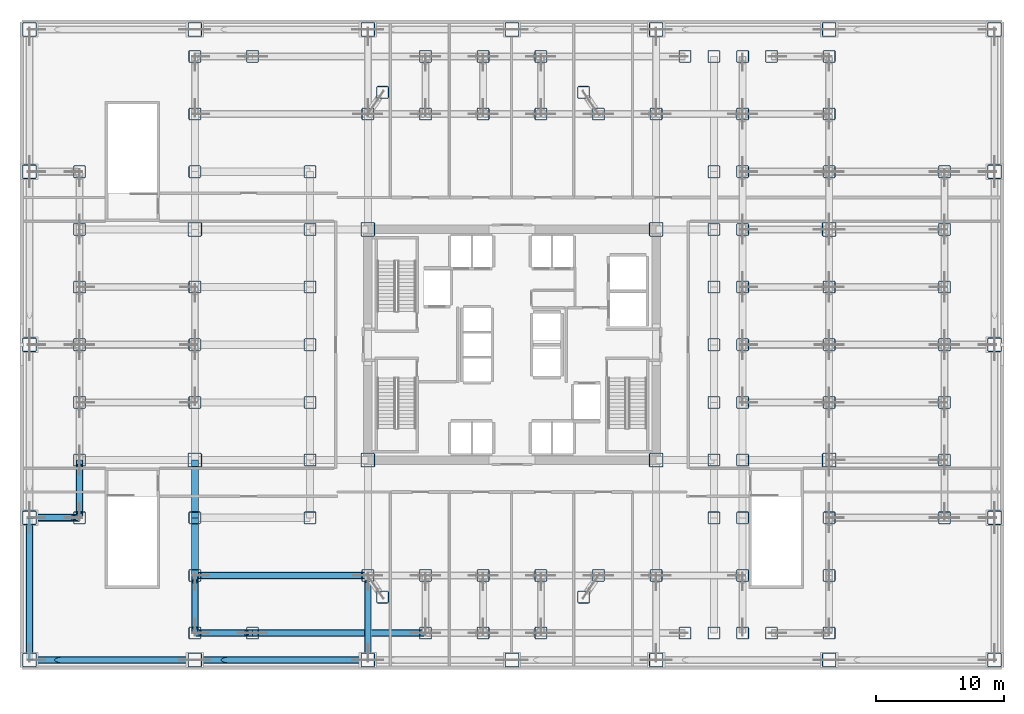
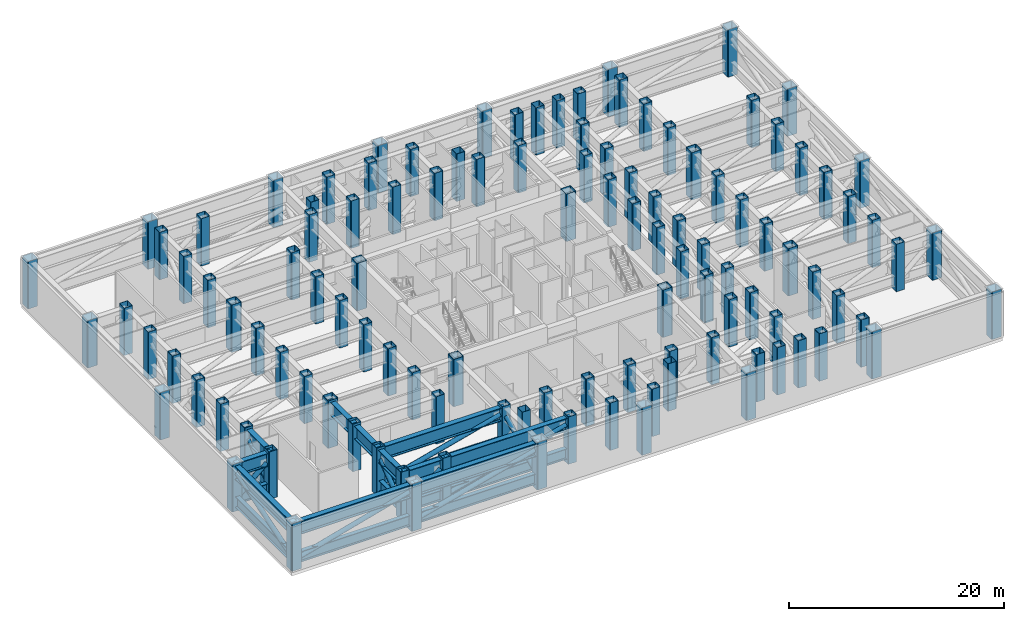
# One storey, part 1 of 17: 115 columns, 20 beams, 10 members.
"""IFC4 building model written with IfcOpenShell, lengths in metres."""

from ifc_helpers import new_model, si_unit, direction, frame, origin, origin_2d, place, context, subcontext, project, spatial, hollow_rectangle, hollow_circle, i_section, extrude, source, transform, mapped, material, material_profile, profile_set, type_object, element, save


model = new_model("IFC4")

# Units and contexts
model_context = context("Model", 3, precision=1e-05, world=origin(), true_north=direction((0.0, 1.0)))
body_context = subcontext(model_context, "Body", "Model", "MODEL_VIEW")
ifc_project = project(units=[si_unit("LENGTHUNIT", "METRE"), si_unit("AREAUNIT", "SQUARE_METRE"), si_unit("VOLUMEUNIT", "CUBIC_METRE"), si_unit("PLANEANGLEUNIT", "RADIAN"), si_unit("MASSUNIT", "GRAM", prefix="KILO")], contexts=[model_context])

# Site, building, storey
site_placement = place(None, origin())
site = spatial("IfcSite", under=ifc_project, at=site_placement, CompositionType="ELEMENT")
building_placement = place(site_placement, origin())
building = spatial("IfcBuilding", under=site, at=building_placement, Name="Nefas-Gora Pilgrimage Tower", CompositionType="ELEMENT")
storey_placement = place(building_placement, frame((0.0, 0.0, 27.60009765625)))
storey = spatial("IfcBuildingStorey", under=building, at=storey_placement, Name="L05", CompositionType="ELEMENT", Elevation=27.60009765625)

# Columns
ifc_material = material(Name="Steel S460", Category="steel")
ifc_material_profile_1 = material_profile(ifc_material, hollow_rectangle(XDim=1.10009765625, YDim=1.10009765625, WallThickness=0.054931640625, InnerFilletRadius=0.054931640625, OuterFilletRadius=0.110107421875, at=origin_2d()), Name="BOX 1100x1100x55")
ifc_profile_set_1 = profile_set([ifc_material_profile_1], Name="Steel S460")
column_type_1 = type_object("IfcColumnType", Name="COL-MEGA-1100E", PredefinedType="COLUMN", material=ifc_profile_set_1)
shared_shape_1 = source(origin(), body_context, "Body", "SweptSolid", [
    extrude(hollow_rectangle(XDim=1.10009765625, YDim=1.10009765625, WallThickness=0.054931640625, InnerFilletRadius=0.054931640625, OuterFilletRadius=0.110107421875, at=origin_2d()), origin(), (0.0, 0.0, 1.0), 5.39990234375),
])
for number, where, z_axis, x_axis, name in (
    (1, (-37.64990234375, -24.60009765625, 0.0), (0.0, 0.0, 1.0), (1.0, 0.0, 0.0), "L05 Transfer Mega-Column MC-02E.1"),
    (2, (-37.64990234375, -13.5, 0.0), (0.0, 0.0, 1.0), (1.0, 0.0, 0.0), "L05 Transfer Mega-Column MC-02E.2"),
    (3, (-37.64990234375, 0.0, 0.0), (0.0, 0.0, 1.0), (1.0, 0.0, 0.0), "L05 Transfer Mega-Column MC-02E.3"),
    (4, (-37.64990234375, 13.5, 0.0), (0.0, 0.0, 1.0), (1.0, 0.0, 0.0), "L05 Transfer Mega-Column MC-02E.4"),
    (5, (-37.64990234375, 24.60009765625, 0.0), (0.0, 0.0, 1.0), (1.0, 0.0, 0.0), "L05 Transfer Mega-Column MC-02E.5"),
    (6, (-24.75, -24.60009765625, 0.0), (0.0, 0.0, 1.0), (1.0, 0.0, 0.0), "L05 Transfer Mega-Column MC-02E.6"),
    (7, (-24.75, 24.60009765625, 0.0), (0.0, 0.0, 1.0), (1.0, 0.0, 0.0), "L05 Transfer Mega-Column MC-02E.9"),
    (8, (-11.25, -24.60009765625, 0.0), (0.0, 0.0, 1.0), (1.0, 0.0, 0.0), "L05 Transfer Mega-Column MC-02E.10"),
    (9, (-11.25, 24.60009765625, 0.0), (0.0, 0.0, 1.0), (1.0, 0.0, 0.0), "L05 Transfer Mega-Column MC-02E.13"),
    (10, (0.0, -24.60009765625, 0.0), (0.0, 0.0, 1.0), (1.0, 0.0, 0.0), "L05 Transfer Mega-Column MC-02E.14"),
    (11, (0.0, 24.60009765625, 0.0), (0.0, 0.0, 1.0), (1.0, 0.0, 0.0), "L05 Transfer Mega-Column MC-02E.15"),
    (12, (11.25, -24.60009765625, 0.0), (0.0, 0.0, 1.0), (1.0, 0.0, 0.0), "L05 Transfer Mega-Column MC-02E.16"),
    (13, (11.25, 24.60009765625, 0.0), (0.0, 0.0, 1.0), (1.0, 0.0, 0.0), "L05 Transfer Mega-Column MC-02E.19"),
    (14, (24.75, -24.60009765625, 0.0), (0.0, 0.0, 1.0), (1.0, 0.0, 0.0), "L05 Transfer Mega-Column MC-02E.20"),
    (15, (24.75, 24.60009765625, 0.0), (0.0, 0.0, 1.0), (1.0, 0.0, 0.0), "L05 Transfer Mega-Column MC-02E.23"),
    (16, (37.64990234375, -24.60009765625, 0.0), (0.0, 0.0, 1.0), (1.0, 0.0, 0.0), "L05 Transfer Mega-Column MC-02E.24"),
    (17, (37.64990234375, -13.5, 0.0), (0.0, 0.0, 1.0), (1.0, 0.0, 0.0), "L05 Transfer Mega-Column MC-02E.25"),
    (18, (37.64990234375, 0.0, 0.0), (0.0, 0.0, 1.0), (1.0, 0.0, 0.0), "L05 Transfer Mega-Column MC-02E.26"),
    (19, (37.64990234375, 13.5, 0.0), (0.0, 0.0, 1.0), (1.0, 0.0, 0.0), "L05 Transfer Mega-Column MC-02E.27"),
    (20, (37.64990234375, 24.60009765625, 0.0), (0.0, 0.0, 1.0), (1.0, 0.0, 0.0), "L05 Transfer Mega-Column MC-02E.28"),
):
    element("IfcColumn", number, at=place(storey_placement, frame(where, z_axis=z_axis, x_axis=x_axis)), inside=storey, type_object=column_type_1, Name=name, PredefinedType="COLUMN", context=body_context, shape_type="MappedRepresentation", body=[
        mapped(shared_shape_1, transform((0.0, 0.0, 0.0), x_axis=(1.0, 0.0, 0.0), y_axis=(0.0, 1.0, 0.0), z_axis=(0.0, 0.0, 1.0), scale=1.0)),
    ])
ifc_material_profile_2 = material_profile(ifc_material, hollow_rectangle(XDim=1.10009765625, YDim=1.10009765625, WallThickness=0.054931640625, InnerFilletRadius=0.054931640625, OuterFilletRadius=0.110107421875, at=origin_2d()), Name="BOX 1100x1100x55")
ifc_profile_set_2 = profile_set([ifc_material_profile_2], Name="Steel S460")
column_type_2 = type_object("IfcColumnType", Name="COL-MEGA-1100", PredefinedType="COLUMN", material=ifc_profile_set_2)
shared_shape_2 = source(origin(), body_context, "Body", "SweptSolid", [
    extrude(hollow_rectangle(XDim=1.10009765625, YDim=1.10009765625, WallThickness=0.054931640625, InnerFilletRadius=0.054931640625, OuterFilletRadius=0.110107421875, at=origin_2d()), origin(), (0.0, 0.0, 1.0), 5.39990234375),
])
for number, where, z_axis, x_axis, name in (
    (21, (-24.75, -9.0, 0.0), (0.0, 0.0, 1.0), (1.0, 0.0, 0.0), "L05 Transfer Mega-Column MC-02.7"),
    (22, (-24.75, 9.0, 0.0), (0.0, 0.0, 1.0), (1.0, 0.0, 0.0), "L05 Transfer Mega-Column MC-02.8"),
    (23, (-11.25, -9.0, 0.0), (0.0, 0.0, 1.0), (1.0, 0.0, 0.0), "L05 Transfer Mega-Column MC-02.11"),
    (24, (-11.25, 9.0, 0.0), (0.0, 0.0, 1.0), (1.0, 0.0, 0.0), "L05 Transfer Mega-Column MC-02.12"),
    (25, (11.25, -9.0, 0.0), (0.0, 0.0, 1.0), (1.0, 0.0, 0.0), "L05 Transfer Mega-Column MC-02.17"),
    (26, (11.25, 9.0, 0.0), (0.0, 0.0, 1.0), (1.0, 0.0, 0.0), "L05 Transfer Mega-Column MC-02.18"),
    (27, (24.75, -9.0, 0.0), (0.0, 0.0, 1.0), (1.0, 0.0, 0.0), "L05 Transfer Mega-Column MC-02.21"),
    (28, (24.75, 9.0, 0.0), (0.0, 0.0, 1.0), (1.0, 0.0, 0.0), "L05 Transfer Mega-Column MC-02.22"),
):
    element("IfcColumn", number, at=place(storey_placement, frame(where, z_axis=z_axis, x_axis=x_axis)), inside=storey, type_object=column_type_2, Name=name, PredefinedType="COLUMN", context=body_context, shape_type="MappedRepresentation", body=[
        mapped(shared_shape_2, transform((0.0, 0.0, 0.0), x_axis=(1.0, 0.0, 0.0), y_axis=(0.0, 1.0, 0.0), z_axis=(0.0, 0.0, 1.0), scale=1.0)),
    ])
ifc_material_profile_3 = material_profile(ifc_material, hollow_rectangle(XDim=0.949951171875, YDim=0.949951171875, WallThickness=0.044921875, InnerFilletRadius=0.044921875, OuterFilletRadius=0.090087890625, at=origin_2d()), Name="BOX 950x950x45")
ifc_profile_set_3 = profile_set([ifc_material_profile_3], Name="Steel S460")
column_type_3 = type_object("IfcColumnType", Name="COL-TRUSS-950", PredefinedType="COLUMN", material=ifc_profile_set_3)
shared_shape_3 = source(origin(), body_context, "Body", "SweptSolid", [
    extrude(hollow_rectangle(XDim=0.949951171875, YDim=0.949951171875, WallThickness=0.044921875, InnerFilletRadius=0.044921875, OuterFilletRadius=0.090087890625, at=origin_2d()), origin(), (0.0, 0.0, 1.0), 5.39990234375),
])
for number, where, z_axis, x_axis, name in (
    (29, (-33.75, -13.5, 0.0), (0.0, 0.0, 1.0), (1.0, 0.0, 0.0), "L05 Transfer Truss Post TC-01.1"),
    (30, (-33.75, -9.0, 0.0), (0.0, 0.0, 1.0), (1.0, 0.0, 0.0), "L05 Transfer Truss Post TC-01.2"),
    (31, (-33.75, -4.5, 0.0), (0.0, 0.0, 1.0), (1.0, 0.0, 0.0), "L05 Transfer Truss Post TC-01.3"),
    (32, (-33.75, 0.0, 0.0), (0.0, 0.0, 1.0), (1.0, 0.0, 0.0), "L05 Transfer Truss Post TC-01.4"),
    (33, (-33.75, 4.5, 0.0), (0.0, 0.0, 1.0), (1.0, 0.0, 0.0), "L05 Transfer Truss Post TC-01.5"),
    (34, (-33.75, 9.0, 0.0), (0.0, 0.0, 1.0), (1.0, 0.0, 0.0), "L05 Transfer Truss Post TC-01.6"),
    (35, (-33.75, 13.5, 0.0), (0.0, 0.0, 1.0), (1.0, 0.0, 0.0), "L05 Transfer Truss Post TC-01.7"),
    (36, (-24.75, -22.5, 0.0), (0.0, 0.0, 1.0), (1.0, 0.0, 0.0), "L05 Transfer Truss Post TC-01.8"),
    (37, (-24.75, -18.0, 0.0), (0.0, 0.0, 1.0), (1.0, 0.0, 0.0), "L05 Transfer Truss Post TC-01.9"),
    (38, (-24.75, -13.5, 0.0), (0.0, 0.0, 1.0), (1.0, 0.0, 0.0), "L05 Transfer Truss Post TC-01.10"),
    (39, (-24.75, -4.5, 0.0), (0.0, 0.0, 1.0), (1.0, 0.0, 0.0), "L05 Transfer Truss Post TC-01.12"),
    (40, (-24.75, 0.0, 0.0), (0.0, 0.0, 1.0), (1.0, 0.0, 0.0), "L05 Transfer Truss Post TC-01.13"),
    (41, (-24.75, 4.5, 0.0), (0.0, 0.0, 1.0), (1.0, 0.0, 0.0), "L05 Transfer Truss Post TC-01.14"),
    (42, (-24.75, 13.5, 0.0), (0.0, 0.0, 1.0), (1.0, 0.0, 0.0), "L05 Transfer Truss Post TC-01.16"),
    (43, (-24.75, 18.0, 0.0), (0.0, 0.0, 1.0), (1.0, 0.0, 0.0), "L05 Transfer Truss Post TC-01.17"),
    (44, (-24.75, 22.5, 0.0), (0.0, 0.0, 1.0), (1.0, 0.0, 0.0), "L05 Transfer Truss Post TC-01.18"),
    (45, (-20.25, -22.5, 0.0), (0.0, 0.0, 1.0), (1.0, 0.0, 0.0), "L05 Transfer Truss Post TC-01.19"),
    (46, (-20.25, 22.5, 0.0), (0.0, 0.0, 1.0), (1.0, 0.0, 0.0), "L05 Transfer Truss Post TC-01.20"),
    (47, (-15.75, -13.5, 0.0), (0.0, 0.0, 1.0), (1.0, 0.0, 0.0), "L05 Transfer Truss Post TC-01.21"),
    (48, (-15.75, -9.0, 0.0), (0.0, 0.0, 1.0), (1.0, 0.0, 0.0), "L05 Transfer Truss Post TC-01.22"),
    (49, (-15.75, -4.5, 0.0), (0.0, 0.0, 1.0), (1.0, 0.0, 0.0), "L05 Transfer Truss Post TC-01.23"),
    (50, (-15.75, 0.0, 0.0), (0.0, 0.0, 1.0), (1.0, 0.0, 0.0), "L05 Transfer Truss Post TC-01.24"),
    (51, (-15.75, 4.5, 0.0), (0.0, 0.0, 1.0), (1.0, 0.0, 0.0), "L05 Transfer Truss Post TC-01.25"),
    (52, (-15.75, 9.0, 0.0), (0.0, 0.0, 1.0), (1.0, 0.0, 0.0), "L05 Transfer Truss Post TC-01.26"),
    (53, (-15.75, 13.5, 0.0), (0.0, 0.0, 1.0), (1.0, 0.0, 0.0), "L05 Transfer Truss Post TC-01.27"),
    (54, (-11.25, -18.0, 0.0), (0.0, 0.0, 1.0), (1.0, 0.0, 0.0), "L05 Transfer Truss Post TC-01.28"),
    (55, (-11.25, 18.0, 0.0), (0.0, 0.0, 1.0), (1.0, 0.0, 0.0), "L05 Transfer Truss Post TC-01.31"),
    (56, (-10.091064453125, -19.696044921875, 0.0), (0.0, 0.0, 1.0), (1.0, 0.0, 0.0), "L05 Transfer Truss Post TC-01.32"),
    (57, (-10.091064453125, 19.696044921875, 0.0), (0.0, 0.0, 1.0), (1.0, 0.0, 0.0), "L05 Transfer Truss Post TC-01.33"),
    (58, (-6.75, -22.5, 0.0), (0.0, 0.0, 1.0), (1.0, 0.0, 0.0), "L05 Transfer Truss Post TC-01.34"),
    (59, (-6.75, -18.0, 0.0), (0.0, 0.0, 1.0), (1.0, 0.0, 0.0), "L05 Transfer Truss Post TC-01.35"),
    (60, (-6.75, 18.0, 0.0), (0.0, 0.0, 1.0), (1.0, 0.0, 0.0), "L05 Transfer Truss Post TC-01.36"),
    (61, (-6.75, 22.5, 0.0), (0.0, 0.0, 1.0), (1.0, 0.0, 0.0), "L05 Transfer Truss Post TC-01.37"),
    (62, (-2.25, -22.5, 0.0), (0.0, 0.0, 1.0), (1.0, 0.0, 0.0), "L05 Transfer Truss Post TC-01.38"),
    (63, (-2.25, -18.0, 0.0), (0.0, 0.0, 1.0), (1.0, 0.0, 0.0), "L05 Transfer Truss Post TC-01.39"),
    (64, (-2.25, 18.0, 0.0), (0.0, 0.0, 1.0), (1.0, 0.0, 0.0), "L05 Transfer Truss Post TC-01.40"),
    (65, (-2.25, 22.5, 0.0), (0.0, 0.0, 1.0), (1.0, 0.0, 0.0), "L05 Transfer Truss Post TC-01.41"),
    (66, (2.25, -22.5, 0.0), (0.0, 0.0, 1.0), (1.0, 0.0, 0.0), "L05 Transfer Truss Post TC-01.42"),
    (67, (2.25, -18.0, 0.0), (0.0, 0.0, 1.0), (1.0, 0.0, 0.0), "L05 Transfer Truss Post TC-01.43"),
    (68, (2.25, 18.0, 0.0), (0.0, 0.0, 1.0), (1.0, 0.0, 0.0), "L05 Transfer Truss Post TC-01.44"),
    (69, (2.25, 22.5, 0.0), (0.0, 0.0, 1.0), (1.0, 0.0, 0.0), "L05 Transfer Truss Post TC-01.45"),
    (70, (5.591064453125, -19.696044921875, 0.0), (0.0, 0.0, 1.0), (1.0, 0.0, 0.0), "L05 Transfer Truss Post TC-01.46"),
    (71, (5.591064453125, 19.696044921875, 0.0), (0.0, 0.0, 1.0), (1.0, 0.0, 0.0), "L05 Transfer Truss Post TC-01.47"),
    (72, (6.75, -18.0, 0.0), (0.0, 0.0, 1.0), (1.0, 0.0, 0.0), "L05 Transfer Truss Post TC-01.48"),
    (73, (6.75, 18.0, 0.0), (0.0, 0.0, 1.0), (1.0, 0.0, 0.0), "L05 Transfer Truss Post TC-01.49"),
    (74, (11.25, -18.0, 0.0), (0.0, 0.0, 1.0), (1.0, 0.0, 0.0), "L05 Transfer Truss Post TC-01.50"),
    (75, (11.25, 18.0, 0.0), (0.0, 0.0, 1.0), (1.0, 0.0, 0.0), "L05 Transfer Truss Post TC-01.53"),
    (76, (13.5, -22.5, 0.0), (0.0, 0.0, 1.0), (1.0, 0.0, 0.0), "L05 Transfer Truss Post TC-01.54"),
    (77, (13.5, 22.5, 0.0), (0.0, 0.0, 1.0), (1.0, 0.0, 0.0), "L05 Transfer Truss Post TC-01.55"),
    (78, (15.75, -22.5, 0.0), (0.0, 0.0, 1.0), (1.0, 0.0, 0.0), "L05 Transfer Truss Post TC-01.56"),
    (79, (15.75, -13.5, 0.0), (0.0, 0.0, 1.0), (1.0, 0.0, 0.0), "L05 Transfer Truss Post TC-01.57"),
    (80, (15.75, -9.0, 0.0), (0.0, 0.0, 1.0), (1.0, 0.0, 0.0), "L05 Transfer Truss Post TC-01.58"),
    (81, (15.75, -4.5, 0.0), (0.0, 0.0, 1.0), (1.0, 0.0, 0.0), "L05 Transfer Truss Post TC-01.59"),
    (82, (15.75, 0.0, 0.0), (0.0, 0.0, 1.0), (1.0, 0.0, 0.0), "L05 Transfer Truss Post TC-01.60"),
    (83, (15.75, 4.5, 0.0), (0.0, 0.0, 1.0), (1.0, 0.0, 0.0), "L05 Transfer Truss Post TC-01.61"),
    (84, (15.75, 9.0, 0.0), (0.0, 0.0, 1.0), (1.0, 0.0, 0.0), "L05 Transfer Truss Post TC-01.62"),
    (85, (15.75, 13.5, 0.0), (0.0, 0.0, 1.0), (1.0, 0.0, 0.0), "L05 Transfer Truss Post TC-01.63"),
    (86, (15.75, 22.5, 0.0), (0.0, 0.0, 1.0), (1.0, 0.0, 0.0), "L05 Transfer Truss Post TC-01.64"),
    (87, (18.0, -22.5, 0.0), (0.0, 0.0, 1.0), (1.0, 0.0, 0.0), "L05 Transfer Truss Post TC-01.65"),
    (88, (18.0, -18.0, 0.0), (0.0, 0.0, 1.0), (1.0, 0.0, 0.0), "L05 Transfer Truss Post TC-01.66"),
    (89, (18.0, -13.5, 0.0), (0.0, 0.0, 1.0), (1.0, 0.0, 0.0), "L05 Transfer Truss Post TC-01.67"),
    (90, (18.0, -9.0, 0.0), (0.0, 0.0, 1.0), (1.0, 0.0, 0.0), "L05 Transfer Truss Post TC-01.68"),
    (91, (18.0, -4.5, 0.0), (0.0, 0.0, 1.0), (1.0, 0.0, 0.0), "L05 Transfer Truss Post TC-01.69"),
    (92, (18.0, 0.0, 0.0), (0.0, 0.0, 1.0), (1.0, 0.0, 0.0), "L05 Transfer Truss Post TC-01.70"),
    (93, (18.0, 4.5, 0.0), (0.0, 0.0, 1.0), (1.0, 0.0, 0.0), "L05 Transfer Truss Post TC-01.71"),
    (94, (18.0, 9.0, 0.0), (0.0, 0.0, 1.0), (1.0, 0.0, 0.0), "L05 Transfer Truss Post TC-01.72"),
    (95, (18.0, 13.5, 0.0), (0.0, 0.0, 1.0), (1.0, 0.0, 0.0), "L05 Transfer Truss Post TC-01.73"),
    (96, (18.0, 18.0, 0.0), (0.0, 0.0, 1.0), (1.0, 0.0, 0.0), "L05 Transfer Truss Post TC-01.74"),
    (97, (18.0, 22.5, 0.0), (0.0, 0.0, 1.0), (1.0, 0.0, 0.0), "L05 Transfer Truss Post TC-01.75"),
    (98, (20.25, -22.5, 0.0), (0.0, 0.0, 1.0), (1.0, 0.0, 0.0), "L05 Transfer Truss Post TC-01.76"),
    (99, (20.25, 22.5, 0.0), (0.0, 0.0, 1.0), (1.0, 0.0, 0.0), "L05 Transfer Truss Post TC-01.77"),
    (100, (24.75, -22.5, 0.0), (0.0, 0.0, 1.0), (1.0, 0.0, 0.0), "L05 Transfer Truss Post TC-01.78"),
    (101, (24.75, -18.0, 0.0), (0.0, 0.0, 1.0), (1.0, 0.0, 0.0), "L05 Transfer Truss Post TC-01.79"),
    (102, (24.75, -13.5, 0.0), (0.0, 0.0, 1.0), (1.0, 0.0, 0.0), "L05 Transfer Truss Post TC-01.80"),
    (103, (24.75, -4.5, 0.0), (0.0, 0.0, 1.0), (1.0, 0.0, 0.0), "L05 Transfer Truss Post TC-01.82"),
    (104, (24.75, 0.0, 0.0), (0.0, 0.0, 1.0), (1.0, 0.0, 0.0), "L05 Transfer Truss Post TC-01.83"),
    (105, (24.75, 4.5, 0.0), (0.0, 0.0, 1.0), (1.0, 0.0, 0.0), "L05 Transfer Truss Post TC-01.84"),
    (106, (24.75, 13.5, 0.0), (0.0, 0.0, 1.0), (1.0, 0.0, 0.0), "L05 Transfer Truss Post TC-01.86"),
    (107, (24.75, 18.0, 0.0), (0.0, 0.0, 1.0), (1.0, 0.0, 0.0), "L05 Transfer Truss Post TC-01.87"),
    (108, (24.75, 22.5, 0.0), (0.0, 0.0, 1.0), (1.0, 0.0, 0.0), "L05 Transfer Truss Post TC-01.88"),
    (109, (33.75, -13.5, 0.0), (0.0, 0.0, 1.0), (1.0, 0.0, 0.0), "L05 Transfer Truss Post TC-01.89"),
    (110, (33.75, -9.0, 0.0), (0.0, 0.0, 1.0), (1.0, 0.0, 0.0), "L05 Transfer Truss Post TC-01.90"),
    (111, (33.75, -4.5, 0.0), (0.0, 0.0, 1.0), (1.0, 0.0, 0.0), "L05 Transfer Truss Post TC-01.91"),
    (112, (33.75, 0.0, 0.0), (0.0, 0.0, 1.0), (1.0, 0.0, 0.0), "L05 Transfer Truss Post TC-01.92"),
    (113, (33.75, 4.5, 0.0), (0.0, 0.0, 1.0), (1.0, 0.0, 0.0), "L05 Transfer Truss Post TC-01.93"),
    (114, (33.75, 9.0, 0.0), (0.0, 0.0, 1.0), (1.0, 0.0, 0.0), "L05 Transfer Truss Post TC-01.94"),
    (115, (33.75, 13.5, 0.0), (0.0, 0.0, 1.0), (1.0, 0.0, 0.0), "L05 Transfer Truss Post TC-01.95"),
):
    element("IfcColumn", number, at=place(storey_placement, frame(where, z_axis=z_axis, x_axis=x_axis)), inside=storey, type_object=column_type_3, Name=name, PredefinedType="COLUMN", context=body_context, shape_type="MappedRepresentation", body=[
        mapped(shared_shape_3, transform((0.0, 0.0, 0.0), x_axis=(1.0, 0.0, 0.0), y_axis=(0.0, 1.0, 0.0), z_axis=(0.0, 0.0, 1.0), scale=1.0)),
    ])

# Beams
ifc_material_profile_4 = material_profile(ifc_material, i_section(OverallWidth=0.550048828125, OverallDepth=1.5, WebThickness=0.031982421875, FlangeThickness=0.06005859375, FilletRadius=0.02392578125, at=origin_2d()), Name="WPG 1500x550x32x60")
ifc_profile_set_4 = profile_set([ifc_material_profile_4], Name="Steel S460")
beam_type_1 = type_object("IfcBeamType", Name="BM-TR-1500", PredefinedType="BEAM", material=ifc_profile_set_4)
shared_shape_4 = source(origin(), body_context, "Body", "SweptSolid", [
    extrude(i_section(OverallWidth=0.550048828125, OverallDepth=1.5, WebThickness=0.031982421875, FlangeThickness=0.06005859375, FilletRadius=0.02392578125, at=origin_2d()), origin(), (0.0, 0.0, 1.0), 13.5),
])
for number, where, z_axis, x_axis, name in (
    (116, (-24.75, -24.60009765625, 4.39990234375), (1.0, 0.0, 0.0), (0.0, 1.0, 0.0), "L05 Transfer Truss Top Chord TB-01.21"),
    (117, (-24.75, -18.0, 4.39990234375), (1.0, 0.0, 0.0), (0.0, 1.0, 0.0), "L05 Transfer Truss Top Chord TB-01.25"),
    (118, (-20.25, -22.5, 4.39990234375), (1.0, 0.0, 0.0), (0.0, 1.0, 0.0), "L05 Transfer Truss Top Chord TB-01.44"),
):
    element("IfcBeam", number, at=place(storey_placement, frame(where, z_axis=z_axis, x_axis=x_axis)), inside=storey, type_object=beam_type_1, Name=name, PredefinedType="BEAM", context=body_context, shape_type="MappedRepresentation", body=[
        mapped(shared_shape_4, transform((0.0, 0.0, 0.0), x_axis=(1.0, 0.0, 0.0), y_axis=(0.0, 1.0, 0.0), z_axis=(0.0, 0.0, 1.0), scale=1.0)),
    ])
shared_shape_5 = source(origin(), body_context, "Body", "SweptSolid", [
    extrude(i_section(OverallWidth=0.550048828125, OverallDepth=1.5, WebThickness=0.031982421875, FlangeThickness=0.06005859375, FilletRadius=0.02392578125, at=origin_2d()), origin(), (0.0, 0.0, 1.0), 11.10009765625),
])
beam_1_placement = place(storey_placement, frame((-37.64990234375, -24.60009765625, 4.39990234375), z_axis=(0.0, 1.0, 0.0), x_axis=(-1.0, 0.0, 0.0)))
element("IfcBeam", 119, at=beam_1_placement, inside=storey, type_object=beam_type_1, Name="L05 Transfer Truss Top Chord TB-01.1", PredefinedType="BEAM", context=body_context, shape_type="MappedRepresentation", body=[
    mapped(shared_shape_5, transform((0.0, 0.0, 0.0), x_axis=(1.0, 0.0, 0.0), y_axis=(0.0, 1.0, 0.0), z_axis=(0.0, 0.0, 1.0), scale=1.0)),
])
ifc_material_profile_5 = material_profile(ifc_material, i_section(OverallWidth=0.449951171875, OverallDepth=1.199951171875, WebThickness=0.028076171875, FlangeThickness=0.050048828125, FilletRadius=0.02392578125, at=origin_2d()), Name="WPG 1200x450x28x50")
ifc_profile_set_5 = profile_set([ifc_material_profile_5], Name="Steel S460")
beam_type_2 = type_object("IfcBeamType", Name="BM-TR-1200", PredefinedType="BEAM", material=ifc_profile_set_5)
shared_shape_6 = source(origin(), body_context, "Body", "SweptSolid", [
    extrude(i_section(OverallWidth=0.449951171875, OverallDepth=1.199951171875, WebThickness=0.028076171875, FlangeThickness=0.050048828125, FilletRadius=0.02392578125, at=origin_2d()), origin(), (0.0, 0.0, 1.0), 11.10009765625),
])
beam_2_placement = place(storey_placement, frame((-37.64990234375, -24.60009765625, 1.0498046875), z_axis=(0.0, 1.0, 0.0), x_axis=(-1.0, 0.0, 0.0)))
element("IfcBeam", 120, at=beam_2_placement, inside=storey, type_object=beam_type_2, Name="L05 Transfer Truss Bottom Chord TB-02.1", PredefinedType="BEAM", context=body_context, shape_type="MappedRepresentation", body=[
    mapped(shared_shape_6, transform((0.0, 0.0, 0.0), x_axis=(1.0, 0.0, 0.0), y_axis=(0.0, 1.0, 0.0), z_axis=(0.0, 0.0, 1.0), scale=1.0)),
])

# Member
ifc_material_profile_6 = material_profile(ifc_material, hollow_circle(Radius=0.25390625, WallThickness=0.031982421875, at=origin_2d()), Name="CHS 508x32")
ifc_profile_set_6 = profile_set([ifc_material_profile_6], Name="Steel S460")
member_type = type_object("IfcMemberType", Name="MEM-TRUSS-508", PredefinedType="BRACE", material=ifc_profile_set_6)
shared_shape_7 = source(origin(), body_context, "Body", "SweptSolid", [
    extrude(hollow_circle(Radius=0.25390625, WallThickness=0.031982421875, at=origin_2d()), origin(), (0.0, 0.0, 1.0), 10.524169921875),
])
member_1_placement = place(storey_placement, frame((-37.64990234375, -24.06201171875, 1.02197265625), z_axis=(0.0, 0.952475042188, 0.304616634492), x_axis=(-1.0, 0.0, 0.0)))
element("IfcMember", 121, at=member_1_placement, inside=storey, type_object=member_type, Name="L05 Transfer Truss Web Diagonal TBR-01.1", PredefinedType="BRACE", context=body_context, shape_type="MappedRepresentation", body=[
    mapped(shared_shape_7, transform((0.0, 0.0, 0.0), x_axis=(1.0, 0.0, 0.0), y_axis=(0.0, 1.0, 0.0), z_axis=(0.0, 0.0, 1.0), scale=1.0)),
])

# Beams
shared_shape_8 = source(origin(), body_context, "Body", "SweptSolid", [
    extrude(i_section(OverallWidth=0.550048828125, OverallDepth=1.5, WebThickness=0.031982421875, FlangeThickness=0.06005859375, FilletRadius=0.02392578125, at=origin_2d()), origin(), (0.0, 0.0, 1.0), 12.89990234375),
])
beam_3_placement = place(storey_placement, frame((-37.64990234375, -24.60009765625, 4.39990234375), z_axis=(1.0, 0.0, 0.0), x_axis=(0.0, 1.0, 0.0)))
element("IfcBeam", 122, at=beam_3_placement, inside=storey, type_object=beam_type_1, Name="L05 Transfer Truss Top Chord TB-01.2", PredefinedType="BEAM", context=body_context, shape_type="MappedRepresentation", body=[
    mapped(shared_shape_8, transform((0.0, 0.0, 0.0), x_axis=(1.0, 0.0, 0.0), y_axis=(0.0, 1.0, 0.0), z_axis=(0.0, 0.0, 1.0), scale=1.0)),
])
shared_shape_9 = source(origin(), body_context, "Body", "SweptSolid", [
    extrude(i_section(OverallWidth=0.449951171875, OverallDepth=1.199951171875, WebThickness=0.028076171875, FlangeThickness=0.050048828125, FilletRadius=0.02392578125, at=origin_2d()), origin(), (0.0, 0.0, 1.0), 12.89990234375),
])
beam_4_placement = place(storey_placement, frame((-37.64990234375, -24.60009765625, 1.0498046875), z_axis=(1.0, 0.0, 0.0), x_axis=(0.0, 1.0, 0.0)))
element("IfcBeam", 123, at=beam_4_placement, inside=storey, type_object=beam_type_2, Name="L05 Transfer Truss Bottom Chord TB-02.2", PredefinedType="BEAM", context=body_context, shape_type="MappedRepresentation", body=[
    mapped(shared_shape_9, transform((0.0, 0.0, 0.0), x_axis=(1.0, 0.0, 0.0), y_axis=(0.0, 1.0, 0.0), z_axis=(0.0, 0.0, 1.0), scale=1.0)),
])

# Member
shared_shape_10 = source(origin(), body_context, "Body", "SweptSolid", [
    extrude(hollow_circle(Radius=0.25390625, WallThickness=0.031982421875, at=origin_2d()), origin(), (0.0, 0.0, 1.0), 12.263427734375),
])
member_2_placement = place(storey_placement, frame((-37.112060546875, -24.60009765625, 0.998046875), z_axis=(0.964162244211, 0.0, 0.26531333709), x_axis=(0.0, 1.0, 0.0)))
element("IfcMember", 124, at=member_2_placement, inside=storey, type_object=member_type, Name="L05 Transfer Truss Web Diagonal TBR-01.2", PredefinedType="BRACE", context=body_context, shape_type="MappedRepresentation", body=[
    mapped(shared_shape_10, transform((0.0, 0.0, 0.0), x_axis=(1.0, 0.0, 0.0), y_axis=(0.0, 1.0, 0.0), z_axis=(0.0, 0.0, 1.0), scale=1.0)),
])

# Beams
shared_shape_11 = source(origin(), body_context, "Body", "SweptSolid", [
    extrude(i_section(OverallWidth=0.449951171875, OverallDepth=1.199951171875, WebThickness=0.028076171875, FlangeThickness=0.050048828125, FilletRadius=0.02392578125, at=origin_2d()), origin(), (0.0, 0.0, 1.0), 13.5),
])
for number, where, z_axis, x_axis, name in (
    (125, (-24.75, -24.60009765625, 1.0498046875), (1.0, 0.0, 0.0), (0.0, 1.0, 0.0), "L05 Transfer Truss Bottom Chord TB-02.21"),
    (126, (-24.75, -18.0, 1.0498046875), (1.0, 0.0, 0.0), (0.0, 1.0, 0.0), "L05 Transfer Truss Bottom Chord TB-02.25"),
    (127, (-20.25, -22.5, 1.0498046875), (1.0, 0.0, 0.0), (0.0, 1.0, 0.0), "L05 Transfer Truss Bottom Chord TB-02.44"),
):
    element("IfcBeam", number, at=place(storey_placement, frame(where, z_axis=z_axis, x_axis=x_axis)), inside=storey, type_object=beam_type_2, Name=name, PredefinedType="BEAM", context=body_context, shape_type="MappedRepresentation", body=[
        mapped(shared_shape_11, transform((0.0, 0.0, 0.0), x_axis=(1.0, 0.0, 0.0), y_axis=(0.0, 1.0, 0.0), z_axis=(0.0, 0.0, 1.0), scale=1.0)),
    ])

# Member
shared_shape_12 = source(origin(), body_context, "Body", "SweptSolid", [
    extrude(hollow_circle(Radius=0.25390625, WallThickness=0.031982421875, at=origin_2d()), origin(), (0.0, 0.0, 1.0), 12.84619140625),
])
member_3_placement = place(storey_placement, frame((-24.2119140625, -24.60009765625, 0.991455078125), z_axis=(0.967124000788, 0.0, 0.254305263609), x_axis=(0.0, 1.0, 0.0)))
element("IfcMember", 128, at=member_3_placement, inside=storey, type_object=member_type, Name="L05 Transfer Truss Web Diagonal TBR-01.21", PredefinedType="BRACE", context=body_context, shape_type="MappedRepresentation", body=[
    mapped(shared_shape_12, transform((0.0, 0.0, 0.0), x_axis=(1.0, 0.0, 0.0), y_axis=(0.0, 1.0, 0.0), z_axis=(0.0, 0.0, 1.0), scale=1.0)),
])

# Beams
shared_shape_13 = source(origin(), body_context, "Body", "SweptSolid", [
    extrude(i_section(OverallWidth=0.550048828125, OverallDepth=1.5, WebThickness=0.031982421875, FlangeThickness=0.06005859375, FilletRadius=0.02392578125, at=origin_2d()), origin(), (0.0, 0.0, 1.0), 3.89990234375),
])
beam_5_placement = place(storey_placement, frame((-37.64990234375, -13.5, 4.39990234375), z_axis=(1.0, 0.0, 0.0), x_axis=(0.0, 1.0, 0.0)))
element("IfcBeam", 129, at=beam_5_placement, inside=storey, type_object=beam_type_1, Name="L05 Transfer Truss Top Chord TB-01.4", PredefinedType="BEAM", context=body_context, shape_type="MappedRepresentation", body=[
    mapped(shared_shape_13, transform((0.0, 0.0, 0.0), x_axis=(1.0, 0.0, 0.0), y_axis=(0.0, 1.0, 0.0), z_axis=(0.0, 0.0, 1.0), scale=1.0)),
])
shared_shape_14 = source(origin(), body_context, "Body", "SweptSolid", [
    extrude(i_section(OverallWidth=0.449951171875, OverallDepth=1.199951171875, WebThickness=0.028076171875, FlangeThickness=0.050048828125, FilletRadius=0.02392578125, at=origin_2d()), origin(), (0.0, 0.0, 1.0), 3.89990234375),
])
beam_6_placement = place(storey_placement, frame((-37.64990234375, -13.5, 1.0498046875), z_axis=(1.0, 0.0, 0.0), x_axis=(0.0, 1.0, 0.0)))
element("IfcBeam", 130, at=beam_6_placement, inside=storey, type_object=beam_type_2, Name="L05 Transfer Truss Bottom Chord TB-02.4", PredefinedType="BEAM", context=body_context, shape_type="MappedRepresentation", body=[
    mapped(shared_shape_14, transform((0.0, 0.0, 0.0), x_axis=(1.0, 0.0, 0.0), y_axis=(0.0, 1.0, 0.0), z_axis=(0.0, 0.0, 1.0), scale=1.0)),
])

# Member
shared_shape_15 = source(origin(), body_context, "Body", "SweptSolid", [
    extrude(hollow_circle(Radius=0.25390625, WallThickness=0.031982421875, at=origin_2d()), origin(), (0.0, 0.0, 1.0), 3.92041015625),
])
member_4_placement = place(storey_placement, frame((-37.112060546875, -13.5, 1.339599609375), z_axis=(0.739520063615, 0.0, 0.673134515168), x_axis=(0.0, 1.0, 0.0)))
element("IfcMember", 131, at=member_4_placement, inside=storey, type_object=member_type, Name="L05 Transfer Truss Web Diagonal TBR-01.4", PredefinedType="BRACE", context=body_context, shape_type="MappedRepresentation", body=[
    mapped(shared_shape_15, transform((0.0, 0.0, 0.0), x_axis=(1.0, 0.0, 0.0), y_axis=(0.0, 1.0, 0.0), z_axis=(0.0, 0.0, 1.0), scale=1.0)),
])

# Beams
shared_shape_16 = source(origin(), body_context, "Body", "SweptSolid", [
    extrude(i_section(OverallWidth=0.550048828125, OverallDepth=1.5, WebThickness=0.031982421875, FlangeThickness=0.06005859375, FilletRadius=0.02392578125, at=origin_2d()), origin(), (0.0, 0.0, 1.0), 4.5),
])
for number, where, z_axis, x_axis, name in (
    (132, (-33.75, -13.5, 4.39990234375), (0.0, 1.0, 0.0), (-1.0, 0.0, 0.0), "L05 Transfer Truss Top Chord TB-01.10"),
    (133, (-24.75, -22.5, 4.39990234375), (0.0, 1.0, 0.0), (-1.0, 0.0, 0.0), "L05 Transfer Truss Top Chord TB-01.22"),
    (134, (-24.75, -22.5, 4.39990234375), (1.0, 0.0, 0.0), (0.0, 1.0, 0.0), "L05 Transfer Truss Top Chord TB-01.23"),
    (135, (-24.75, -18.0, 4.39990234375), (0.0, 1.0, 0.0), (-1.0, 0.0, 0.0), "L05 Transfer Truss Top Chord TB-01.24"),
    (136, (-24.75, -13.5, 4.39990234375), (0.0, 1.0, 0.0), (-1.0, 0.0, 0.0), "L05 Transfer Truss Top Chord TB-01.26"),
):
    element("IfcBeam", number, at=place(storey_placement, frame(where, z_axis=z_axis, x_axis=x_axis)), inside=storey, type_object=beam_type_1, Name=name, PredefinedType="BEAM", context=body_context, shape_type="MappedRepresentation", body=[
        mapped(shared_shape_16, transform((0.0, 0.0, 0.0), x_axis=(1.0, 0.0, 0.0), y_axis=(0.0, 1.0, 0.0), z_axis=(0.0, 0.0, 1.0), scale=1.0)),
    ])
shared_shape_17 = source(origin(), body_context, "Body", "SweptSolid", [
    extrude(i_section(OverallWidth=0.449951171875, OverallDepth=1.199951171875, WebThickness=0.028076171875, FlangeThickness=0.050048828125, FilletRadius=0.02392578125, at=origin_2d()), origin(), (0.0, 0.0, 1.0), 4.5),
])
for number, where, z_axis, x_axis, name in (
    (137, (-33.75, -13.5, 1.0498046875), (0.0, 1.0, 0.0), (-1.0, 0.0, 0.0), "L05 Transfer Truss Bottom Chord TB-02.10"),
    (138, (-24.75, -22.5, 1.0498046875), (0.0, 1.0, 0.0), (-1.0, 0.0, 0.0), "L05 Transfer Truss Bottom Chord TB-02.22"),
    (139, (-24.75, -22.5, 1.0498046875), (1.0, 0.0, 0.0), (0.0, 1.0, 0.0), "L05 Transfer Truss Bottom Chord TB-02.23"),
):
    element("IfcBeam", number, at=place(storey_placement, frame(where, z_axis=z_axis, x_axis=x_axis)), inside=storey, type_object=beam_type_2, Name=name, PredefinedType="BEAM", context=body_context, shape_type="MappedRepresentation", body=[
        mapped(shared_shape_17, transform((0.0, 0.0, 0.0), x_axis=(1.0, 0.0, 0.0), y_axis=(0.0, 1.0, 0.0), z_axis=(0.0, 0.0, 1.0), scale=1.0)),
    ])

# Members
shared_shape_18 = source(origin(), body_context, "Body", "SweptSolid", [
    extrude(hollow_circle(Radius=0.25390625, WallThickness=0.031982421875, at=origin_2d()), origin(), (0.0, 0.0, 1.0), 4.552490234375),
])
for number, where, z_axis, x_axis, name in (
    (140, (-33.75, -13.037109375, 1.215087890625), (0.0, 0.785114702189, 0.619350389042), (-1.0, 0.0, 0.0), "L05 Transfer Truss Web Diagonal TBR-01.10"),
    (141, (-24.75, -22.037109375, 1.215087890625), (0.0, 0.785114702189, 0.619350389042), (-1.0, 0.0, 0.0), "L05 Transfer Truss Web Diagonal TBR-01.22"),
    (142, (-24.287109375, -22.5, 1.215087890625), (0.785114702189, 0.0, 0.619350389042), (0.0, 1.0, 0.0), "L05 Transfer Truss Web Diagonal TBR-01.23"),
):
    element("IfcMember", number, at=place(storey_placement, frame(where, z_axis=z_axis, x_axis=x_axis)), inside=storey, type_object=member_type, Name=name, PredefinedType="BRACE", context=body_context, shape_type="MappedRepresentation", body=[
        mapped(shared_shape_18, transform((0.0, 0.0, 0.0), x_axis=(1.0, 0.0, 0.0), y_axis=(0.0, 1.0, 0.0), z_axis=(0.0, 0.0, 1.0), scale=1.0)),
    ])
shared_shape_19 = source(origin(), body_context, "Body", "SweptSolid", [
    extrude(hollow_circle(Radius=0.25390625, WallThickness=0.031982421875, at=origin_2d()), origin(), (0.0, 0.0, 1.0), 13.001708984375),
])
for number, where, z_axis, x_axis, name in (
    (143, (-24.287109375, -18.0, 0.9716796875), (0.967123895514, 0.0, 0.254305663967), (0.0, 1.0, 0.0), "L05 Transfer Truss Web Diagonal TBR-01.25"),
    (144, (-19.787109375, -22.5, 0.9716796875), (0.967123895514, 0.0, 0.254305663967), (0.0, 1.0, 0.0), "L05 Transfer Truss Web Diagonal TBR-01.44"),
):
    element("IfcMember", number, at=place(storey_placement, frame(where, z_axis=z_axis, x_axis=x_axis)), inside=storey, type_object=member_type, Name=name, PredefinedType="BRACE", context=body_context, shape_type="MappedRepresentation", body=[
        mapped(shared_shape_19, transform((0.0, 0.0, 0.0), x_axis=(1.0, 0.0, 0.0), y_axis=(0.0, 1.0, 0.0), z_axis=(0.0, 0.0, 1.0), scale=1.0)),
    ])
shared_shape_20 = source(origin(), body_context, "Body", "SweptSolid", [
    extrude(hollow_circle(Radius=0.25390625, WallThickness=0.031982421875, at=origin_2d()), origin(), (0.0, 0.0, 1.0), 6.357666015625),
])
member_5_placement = place(storey_placement, frame((-11.25, -24.06201171875, 1.139404296875), z_axis=(0.0, 0.880696652186, 0.473680701348), x_axis=(-1.0, 0.0, 0.0)))
element("IfcMember", 145, at=member_5_placement, inside=storey, type_object=member_type, Name="L05 Transfer Truss Web Diagonal TBR-01.54", PredefinedType="BRACE", context=body_context, shape_type="MappedRepresentation", body=[
    mapped(shared_shape_20, transform((0.0, 0.0, 0.0), x_axis=(1.0, 0.0, 0.0), y_axis=(0.0, 1.0, 0.0), z_axis=(0.0, 0.0, 1.0), scale=1.0)),
])

save(model, "model.ifc")
